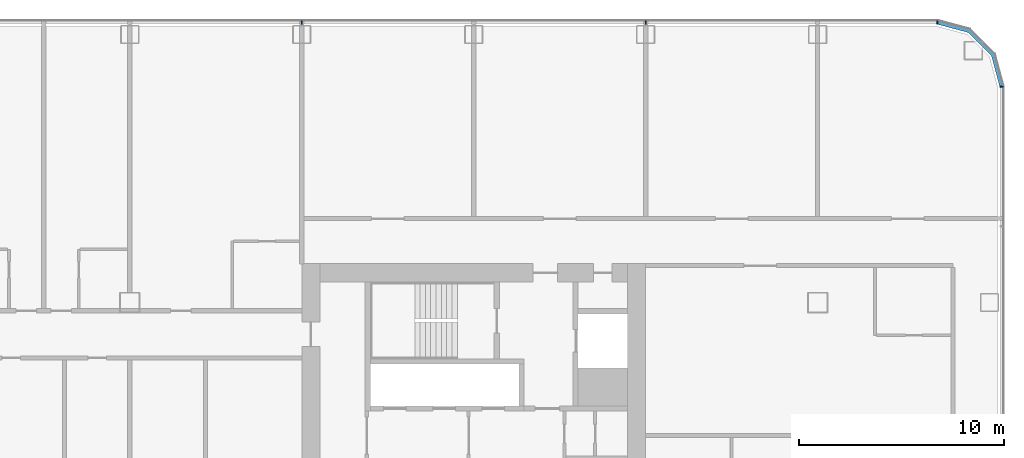
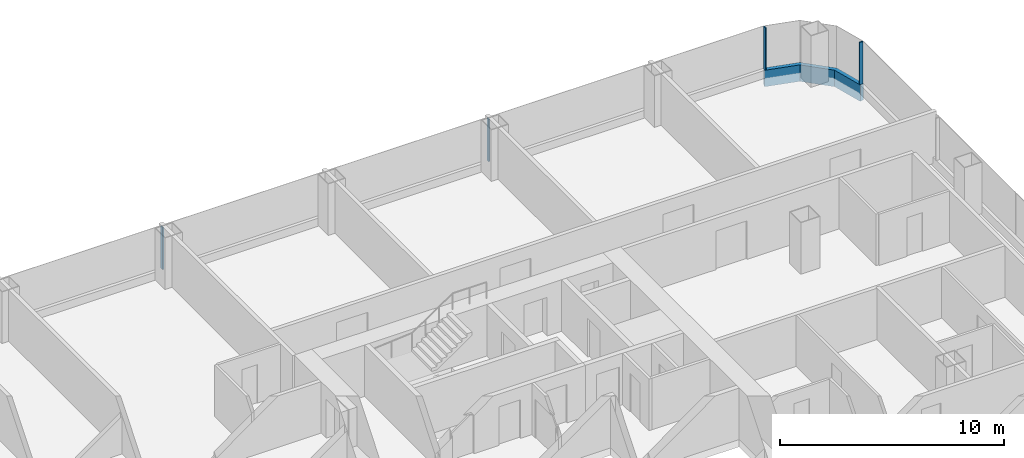
# One storey, part 11 of 29: 5 members, 3 elements without a shape of their own.
"""IFC4 building model written with IfcOpenShell, lengths in metres."""

from ifc_helpers import new_model, si_unit, direction, frame, origin, origin_2d, place, context, subcontext, project, spatial, polyline, rectangle, outline, extrude, material, layer, layer_set, material_profile, profile_set, type_object, element, aggregate, save


model = new_model("IFC4")

# Units and contexts
model_context = context("Model", 3, precision=1e-05, world=origin(), true_north=direction((0.0, 1.0)))
body_context = subcontext(model_context, "Body", "Model", "MODEL_VIEW")
ifc_project = project(units=[si_unit("LENGTHUNIT", "METRE"), si_unit("AREAUNIT", "SQUARE_METRE"), si_unit("VOLUMEUNIT", "CUBIC_METRE"), si_unit("PLANEANGLEUNIT", "RADIAN"), si_unit("MASSUNIT", "GRAM", prefix="KILO")], contexts=[model_context])

# Site, building, storey
site_placement = place(None, origin())
site = spatial("IfcSite", under=ifc_project, at=site_placement, CompositionType="ELEMENT")
building_placement = place(site_placement, origin())
building = spatial("IfcBuilding", under=site, at=building_placement, Name="Hakoniwa Tower and Hamabe Station Hall", CompositionType="ELEMENT")
storey_placement = place(building_placement, frame((0.0, 0.0, 29.39990234375)))
storey = spatial("IfcBuildingStorey", under=building, at=storey_placement, Name="L07", CompositionType="ELEMENT", Elevation=29.39990234375)

# Curtain wall, member
ifc_material_1 = material(Name="Dark low-e laminated glass", Category="glass")
ifc_layer = layer(ifc_material_1, 0.199951171875)
ifc_layer_set = layer_set([ifc_layer], Name="CW-1 UNITISED GUEST")
curtain_wall_type = type_object("IfcCurtainWallType", Name="CW-1 UNITISED GUEST", PredefinedType="NOTDEFINED", material=ifc_layer_set)
curtain_wall_1_placement = place(storey_placement, origin())
curtain_wall_1 = element("IfcCurtainWall", 1, at=curtain_wall_1_placement, inside=storey, type_object=curtain_wall_type, Name="CW-1 curtain wall", PredefinedType="NOTDEFINED")
ifc_material_2 = material(Name="Aluminium 6063-T5 black anodised", Category="aluminium")
ifc_material_profile_1 = material_profile(ifc_material_2, rectangle(XDim=0.199951171875, YDim=0.89990234375, at=origin_2d()), Name="CW SLAB-EDGE BAND 900X200")
ifc_profile_set_1 = profile_set([ifc_material_profile_1], Name="Aluminium 6063-T5 black anodised")
member_type_1 = type_object("IfcMemberType", Name="CW SLAB-EDGE BAND 900X200", PredefinedType="USERDEFINED", material=ifc_profile_set_1)
member_1_placement = place(storey_placement, frame((0.0, 0.0, -0.5498046875)))
member_1 = element("IfcMember", 2, at=member_1_placement, type_object=member_type_1, Name="CW-1 transom", ObjectType="TRANSOM", PredefinedType="USERDEFINED", context=body_context, shape_type="SweptSolid", body=[
    extrude(outline(polyline([(51.10009765625, 17.03955078125), (50.6669921875, 18.6552734375), (49.455322265625, 19.866943359375), (47.839599609375, 20.300048828125), (47.787841796875, 20.10693359375), (49.351806640625, 19.687744140625), (50.48779296875, 18.5517578125), (50.90673828125, 16.98779296875), (51.10009765625, 17.03955078125)])), origin(), (0.0, 0.0, 1.0), 0.89990234375),
])
aggregate(curtain_wall_1, [member_1])

curtain_wall_2_placement = place(storey_placement, origin())
curtain_wall_2 = element("IfcCurtainWall", 3, at=curtain_wall_2_placement, inside=storey, type_object=curtain_wall_type, Name="CW-1 curtain wall", PredefinedType="NOTDEFINED")
ifc_material_3 = material(Name="Aluminium 6063-T5 black anodised", Category="aluminium")
ifc_material_profile_2 = material_profile(ifc_material_3, rectangle(XDim=0.06005859375, YDim=0.179931640625, at=origin_2d()), Name="CW-1 MULLION 60X180")
ifc_profile_set_2 = profile_set([ifc_material_profile_2], Name="Aluminium 6063-T5 black anodised")
member_type_2 = type_object("IfcMemberType", Name="CW-1 MULLION 60X180", PredefinedType="MULLION", material=ifc_profile_set_2)
member_2_placement = place(storey_placement, frame((50.98193359375, 17.03955078125, 0.35009765625), z_axis=(0.0, 0.0, 1.0), x_axis=(0.0, 1.0, 0.0)))
member_2 = element("IfcMember", 4, at=member_2_placement, type_object=member_type_2, Name="CW-1 mullion", PredefinedType="MULLION", context=body_context, shape_type="SweptSolid", body=[
    extrude(rectangle(XDim=0.06005859375, YDim=0.179931640625, at=origin_2d()), origin(), (0.0, 0.0, 1.0), 2.300048828125),
])
aggregate(curtain_wall_2, [member_2])

# Curtain wall, members
curtain_wall_3_placement = place(storey_placement, origin())
curtain_wall_3 = element("IfcCurtainWall", 5, at=curtain_wall_3_placement, inside=storey, type_object=curtain_wall_type, Name="CW-1 curtain wall", PredefinedType="NOTDEFINED")
member_3_placement = place(storey_placement, frame((47.839599609375, 20.181884765625, 0.35009765625), z_axis=(0.0, 0.0, 1.0), x_axis=(-1.0, 0.0, 0.0)))
member_3 = element("IfcMember", 6, at=member_3_placement, type_object=member_type_2, Name="CW-1 mullion", PredefinedType="MULLION", context=body_context, shape_type="SweptSolid", body=[
    extrude(rectangle(XDim=0.06005859375, YDim=0.179931640625, at=origin_2d()), origin(), (0.0, 0.0, 1.0), 2.300048828125),
])
member_4_placement = place(storey_placement, frame((33.60009765625, 20.181884765625, 0.35009765625), z_axis=(0.0, 0.0, 1.0), x_axis=(-1.0, 0.0, 0.0)))
member_4 = element("IfcMember", 7, at=member_4_placement, type_object=member_type_2, Name="CW-1 mullion", PredefinedType="MULLION", context=body_context, shape_type="SweptSolid", body=[
    extrude(rectangle(XDim=0.06005859375, YDim=0.179931640625, at=origin_2d()), origin(), (0.0, 0.0, 1.0), 2.300048828125),
])
member_5_placement = place(storey_placement, frame((16.800048828125, 20.181884765625, 0.35009765625), z_axis=(0.0, 0.0, 1.0), x_axis=(-1.0, 0.0, 0.0)))
member_5 = element("IfcMember", 8, at=member_5_placement, type_object=member_type_2, Name="CW-1 mullion", PredefinedType="MULLION", context=body_context, shape_type="SweptSolid", body=[
    extrude(rectangle(XDim=0.06005859375, YDim=0.179931640625, at=origin_2d()), origin(), (0.0, 0.0, 1.0), 2.300048828125),
])
aggregate(curtain_wall_3, [member_3, member_4, member_5])

save(model, "model.ifc")
